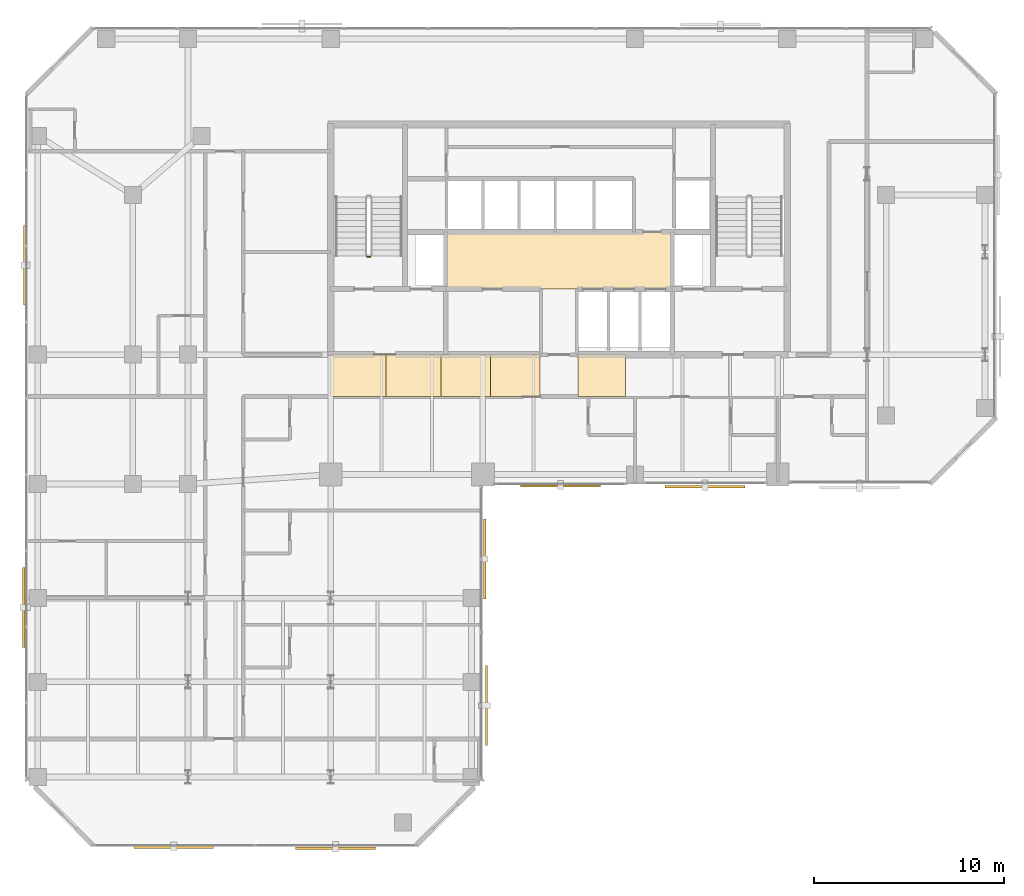
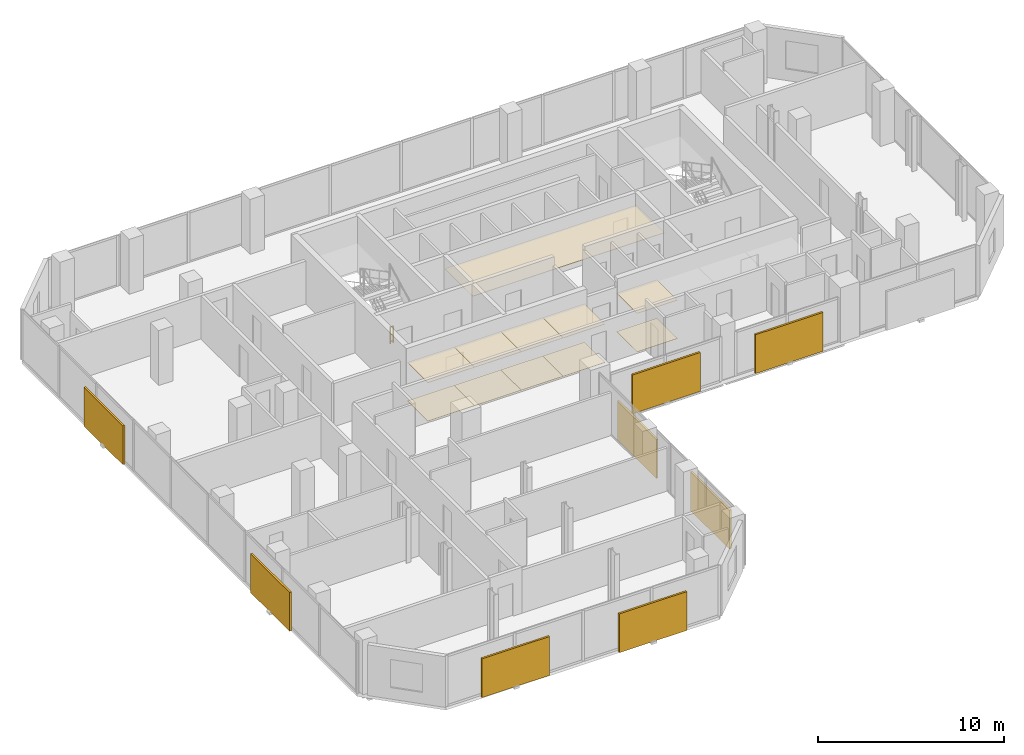
# One storey, part 33 of 34: 11 coverings, 8 shading devices, 1 railing.
"""IFC4 building model written with IfcOpenShell, lengths in metres."""

from ifc_helpers import new_model, si_unit, direction, frame, origin, origin_2d, place, context, subcontext, project, spatial, polyline, rectangle, circle, outline, extrude, material, layer, layer_set, type_object, element, save


model = new_model("IFC4")

# Units and contexts
model_context = context("Model", 3, precision=1e-05, world=origin(), true_north=direction((0.0, 1.0)))
body_context = subcontext(model_context, "Body", "Model", "MODEL_VIEW")
ifc_project = project(units=[si_unit("LENGTHUNIT", "METRE"), si_unit("AREAUNIT", "SQUARE_METRE"), si_unit("VOLUMEUNIT", "CUBIC_METRE"), si_unit("PLANEANGLEUNIT", "RADIAN"), si_unit("MASSUNIT", "GRAM", prefix="KILO")], contexts=[model_context])

# Site, building, storey
site_placement = place(None, origin())
site = spatial("IfcSite", under=ifc_project, at=site_placement, CompositionType="ELEMENT")
building_placement = place(site_placement, origin())
building = spatial("IfcBuilding", under=site, at=building_placement, Name="Catumbela Crestline Tower", CompositionType="ELEMENT")
storey_placement = place(building_placement, frame((0.0, 0.0, 93.6)))
storey = spatial("IfcBuildingStorey", under=building, at=storey_placement, Name="L23", CompositionType="ELEMENT", Elevation=93.6)

# Coverings
ifc_material_1 = material(Name="Mineral-fibre acoustic ceiling")
ifc_layer_1 = layer(ifc_material_1, 0.03, Name="Mineral-fibre acoustic ceiling")
ifc_layer_set_1 = layer_set([ifc_layer_1], Name="Mineral-fibre acoustic ceiling")
covering_type_1 = type_object("IfcCoveringType", Name="CC-AC", PredefinedType="CEILING", material=ifc_layer_set_1)
covering_1_placement = place(storey_placement, frame((0.0, 0.0, 2.65)))
element("IfcCovering", 1, at=covering_1_placement, inside=storey, type_object=covering_type_1, Name="L23 Lift Lobby Acoustic Ceiling", PredefinedType="CEILING", context=body_context, shape_type="SweptSolid", body=[
    extrude(outline(polyline([(22.05, 34.25), (33.95, 34.25), (33.95, 37.25), (22.05, 37.25), (22.05, 34.25)])), origin(), (0.0, 0.0, 1.0), 0.03),
])
covering_2_placement = place(storey_placement, frame((0.0, 0.0, 2.52)))
element("IfcCovering", 2, at=covering_2_placement, inside=storey, type_object=covering_type_1, Name="L23 Corridor Acoustic Ceiling Bay 1", PredefinedType="CEILING", context=body_context, shape_type="SweptSolid", body=[
    extrude(outline(polyline([(16.0, 28.6), (18.9, 28.6), (18.9, 30.8), (16.0, 30.8), (16.0, 28.6)])), origin(), (0.0, 0.0, 1.0), 0.03),
])
covering_3_placement = place(storey_placement, frame((0.0, 0.0, 2.52)))
element("IfcCovering", 3, at=covering_3_placement, inside=storey, type_object=covering_type_1, Name="L23 Corridor Acoustic Ceiling Bay 2", PredefinedType="CEILING", context=body_context, shape_type="SweptSolid", body=[
    extrude(outline(polyline([(18.9, 28.6), (21.8, 28.6), (21.8, 30.8), (18.9, 30.8), (18.9, 28.6)])), origin(), (0.0, 0.0, 1.0), 0.03),
])
covering_4_placement = place(storey_placement, frame((0.0, 0.0, 2.52)))
element("IfcCovering", 4, at=covering_4_placement, inside=storey, type_object=covering_type_1, Name="L23 Corridor Acoustic Ceiling Bay 3", PredefinedType="CEILING", context=body_context, shape_type="SweptSolid", body=[
    extrude(outline(polyline([(21.8, 28.6), (24.4, 28.6), (24.4, 30.8), (21.8, 30.8), (21.8, 28.6)])), origin(), (0.0, 0.0, 1.0), 0.03),
])
covering_5_placement = place(storey_placement, frame((0.0, 0.0, 2.52)))
element("IfcCovering", 5, at=covering_5_placement, inside=storey, type_object=covering_type_1, Name="L23 Corridor Acoustic Ceiling Bay 4", PredefinedType="CEILING", context=body_context, shape_type="SweptSolid", body=[
    extrude(outline(polyline([(24.4, 28.6), (27.0, 28.6), (27.0, 30.8), (24.4, 30.8), (24.4, 28.6)])), origin(), (0.0, 0.0, 1.0), 0.03),
])
covering_6_placement = place(storey_placement, frame((0.0, 0.0, 2.52)))
element("IfcCovering", 6, at=covering_6_placement, inside=storey, type_object=covering_type_1, Name="L23 Corridor Acoustic Ceiling Bay 5", PredefinedType="CEILING", context=body_context, shape_type="SweptSolid", body=[
    extrude(outline(polyline([(29.0, 28.6), (31.5, 28.6), (31.5, 30.8), (29.0, 30.8), (29.0, 28.6)])), origin(), (0.0, 0.0, 1.0), 0.03),
])
ifc_material_2 = material(Name="Angolan grey-ochre granite", Category="masonry")
ifc_layer_2 = layer(ifc_material_2, 0.025, Name="Angolan grey-ochre granite")
ifc_layer_set_2 = layer_set([ifc_layer_2], Name="Angolan grey-ochre granite")
covering_type_2 = type_object("IfcCoveringType", Name="CF-GR", PredefinedType="FLOORING", material=ifc_layer_set_2)
covering_7_placement = place(storey_placement, origin())
element("IfcCovering", 7, at=covering_7_placement, inside=storey, type_object=covering_type_2, Name="L23 Corridor Granite Flooring Bay 1", PredefinedType="FLOORING", context=body_context, shape_type="SweptSolid", body=[
    extrude(outline(polyline([(16.0, 28.6), (18.9, 28.6), (18.9, 30.8), (16.0, 30.8), (16.0, 28.6)])), origin(), (0.0, 0.0, 1.0), 0.025),
])
covering_8_placement = place(storey_placement, origin())
element("IfcCovering", 8, at=covering_8_placement, inside=storey, type_object=covering_type_2, Name="L23 Corridor Granite Flooring Bay 2", PredefinedType="FLOORING", context=body_context, shape_type="SweptSolid", body=[
    extrude(outline(polyline([(18.9, 28.6), (21.8, 28.6), (21.8, 30.8), (18.9, 30.8), (18.9, 28.6)])), origin(), (0.0, 0.0, 1.0), 0.025),
])
covering_9_placement = place(storey_placement, origin())
element("IfcCovering", 9, at=covering_9_placement, inside=storey, type_object=covering_type_2, Name="L23 Corridor Granite Flooring Bay 3", PredefinedType="FLOORING", context=body_context, shape_type="SweptSolid", body=[
    extrude(outline(polyline([(21.8, 28.6), (24.4, 28.6), (24.4, 30.8), (21.8, 30.8), (21.8, 28.6)])), origin(), (0.0, 0.0, 1.0), 0.025),
])
covering_10_placement = place(storey_placement, origin())
element("IfcCovering", 10, at=covering_10_placement, inside=storey, type_object=covering_type_2, Name="L23 Corridor Granite Flooring Bay 4", PredefinedType="FLOORING", context=body_context, shape_type="SweptSolid", body=[
    extrude(outline(polyline([(24.4, 28.6), (27.0, 28.6), (27.0, 30.8), (24.4, 30.8), (24.4, 28.6)])), origin(), (0.0, 0.0, 1.0), 0.025),
])
covering_11_placement = place(storey_placement, origin())
element("IfcCovering", 11, at=covering_11_placement, inside=storey, type_object=covering_type_2, Name="L23 Corridor Granite Flooring Bay 5", PredefinedType="FLOORING", context=body_context, shape_type="SweptSolid", body=[
    extrude(outline(polyline([(29.0, 28.6), (31.5, 28.6), (31.5, 30.8), (29.0, 30.8), (29.0, 28.6)])), origin(), (0.0, 0.0, 1.0), 0.025),
])

# Railing
ifc_material_3 = material(Name="Stainless steel EN 1.4401", Category="steel")
railing_type = type_object("IfcRailingType", Name="RG-1100", PredefinedType="GUARDRAIL", material=ifc_material_3)
railing_placement = place(storey_placement, frame((18.09, 35.95, 0.0)))
element("IfcRailing", 12, at=railing_placement, inside=storey, type_object=railing_type, Name="L23 ST-01 stair guard 4", PredefinedType="GUARDRAIL", context=body_context, shape_type="SweptSolid", body=[
    extrude(circle(Radius=0.024, at=origin_2d()), frame((0.0, 0.0, 1.076), z_axis=(-1.0, 0.0, 0.0), x_axis=(0.0, -1.0, 0.0)), (0.0, 0.0, 1.0), 0.18),
    extrude(circle(Radius=0.0156, at=origin_2d()), frame((0.0, 0.0, 0.55), z_axis=(-1.0, 0.0, 0.0), x_axis=(0.0, -1.0, 0.0)), (0.0, 0.0, 1.0), 0.18),
    extrude(circle(Radius=0.0156, at=origin_2d()), frame((0.0, 0.0, 0.12), z_axis=(-1.0, 0.0, 0.0), x_axis=(0.0, -1.0, 0.0)), (0.0, 0.0, 1.0), 0.18),
    extrude(circle(Radius=0.021, at=origin_2d()), origin(), (0.0, 0.0, 1.0), 1.052),
    extrude(circle(Radius=0.021, at=origin_2d()), frame((-0.18, 0.0, 0.0)), (0.0, 0.0, 1.0), 1.052),
])

# Shading devices
ifc_material_4 = material(Name="Extruded terracotta ceramic", Category="masonry")
shading_device_type_1 = type_object("IfcShadingDeviceType", Name="ST-180", PredefinedType="USERDEFINED", material=ifc_material_4)
for number, where, z_axis, x_axis, name in (
    (13, (7.75, 4.901, -0.1), (0.0, 0.0, 1.0), (1.0, 0.0, 0.0), "L23 Perforated Terracotta Solar Screen 224 (180 mm)"),
    (14, (24.099, 20.05, -0.1), (0.0, 0.0, 1.0), (0.0, 1.0, 0.0), "L23 Perforated Terracotta Solar Screen 227 (180 mm)"),
    (15, (28.075, 23.901, -0.1), (0.0, 0.0, 1.0), (1.0, 0.0, 0.0), "L23 Perforated Terracotta Solar Screen 228 (180 mm)"),
    (16, (-0.099, 35.5, -0.1), (0.0, 0.0, 1.0), (0.0, -1.0, 0.0), "L23 Perforated Terracotta Solar Screen 235 (180 mm)"),
):
    element("IfcShadingDevice", number, at=place(storey_placement, frame(where, z_axis=z_axis, x_axis=x_axis)), inside=storey, type_object=shading_device_type_1, Name=name, ObjectType="SCREEN", PredefinedType="USERDEFINED", context=body_context, shape_type="SweptSolid", body=[
        extrude(rectangle(XDim=4.2, YDim=0.12, at=origin_2d()), origin(), (0.0, 0.0, 1.0), 2.55),
    ])
shading_device_type_2 = type_object("IfcShadingDeviceType", Name="ST-260", PredefinedType="USERDEFINED", material=ifc_material_4)
for number, where, z_axis, x_axis, name in (
    (17, (16.25, 4.857, -0.1), (0.0, 0.0, 1.0), (1.0, 0.0, 0.0), "L23 Perforated Terracotta Solar Screen 225 (260 mm)"),
    (18, (35.675, 23.857, -0.1), (0.0, 0.0, 1.0), (1.0, 0.0, 0.0), "L23 Perforated Terracotta Solar Screen 229 (260 mm)"),
    (19, (-0.143, 17.5, -0.1), (0.0, 0.0, 1.0), (0.0, -1.0, 0.0), "L23 Perforated Terracotta Solar Screen 236 (260 mm)"),
):
    element("IfcShadingDevice", number, at=place(storey_placement, frame(where, z_axis=z_axis, x_axis=x_axis)), inside=storey, type_object=shading_device_type_2, Name=name, ObjectType="SCREEN", PredefinedType="USERDEFINED", context=body_context, shape_type="SweptSolid", body=[
        extrude(rectangle(XDim=4.2, YDim=0.12, at=origin_2d()), origin(), (0.0, 0.0, 1.0), 2.55),
    ])
shading_device_type_3 = type_object("IfcShadingDeviceType", Name="ST-340", PredefinedType="USERDEFINED", material=ifc_material_4)
shading_device_placement = place(storey_placement, frame((24.187, 12.35, -0.1), z_axis=(0.0, 0.0, 1.0), x_axis=(0.0, 1.0, 0.0)))
element("IfcShadingDevice", 20, at=shading_device_placement, inside=storey, type_object=shading_device_type_3, Name="L23 Perforated Terracotta Solar Screen 226 (340 mm)", ObjectType="SCREEN", PredefinedType="USERDEFINED", context=body_context, shape_type="SweptSolid", body=[
    extrude(rectangle(XDim=4.2, YDim=0.12, at=origin_2d()), origin(), (0.0, 0.0, 1.0), 2.55),
])

save(model, "model.ifc")
